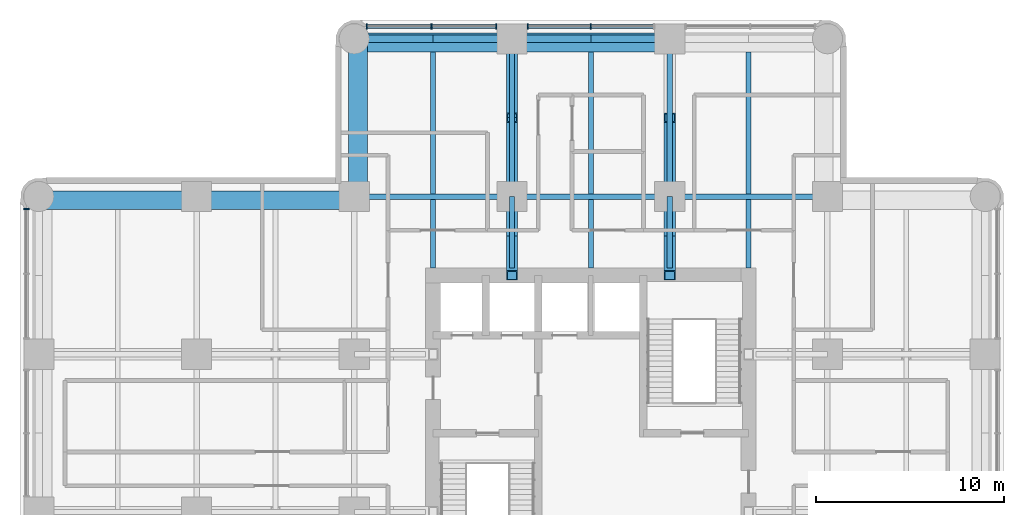
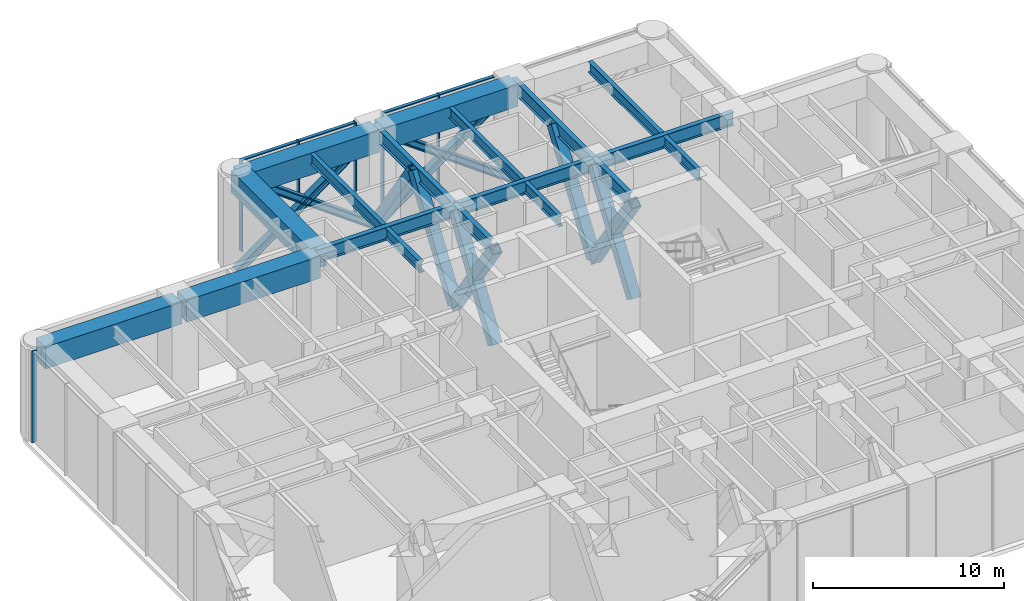
# One storey, part 5 of 12: 21 members, 18 beams, 2 elements without a shape of their own.
"""IFC4 building model written with IfcOpenShell, lengths in metres."""

from ifc_helpers import new_model, si_unit, direction, frame, origin, origin_2d, place, context, subcontext, project, spatial, rectangle, hollow_rectangle, i_section, extrude, material, material_profile, profile_set, type_object, element, aggregate, save


model = new_model("IFC4")

# Units and contexts
model_context = context("Model", 3, precision=1e-05, world=origin(), true_north=direction((0.0, 1.0)))
body_context = subcontext(model_context, "Body", "Model", "MODEL_VIEW")
ifc_project = project(units=[si_unit("LENGTHUNIT", "METRE"), si_unit("AREAUNIT", "SQUARE_METRE"), si_unit("VOLUMEUNIT", "CUBIC_METRE"), si_unit("PLANEANGLEUNIT", "RADIAN"), si_unit("MASSUNIT", "GRAM", prefix="KILO")], contexts=[model_context])

# Site, building, storey
site_placement = place(None, origin())
site = spatial("IfcSite", under=ifc_project, at=site_placement, CompositionType="ELEMENT")
building_placement = place(site_placement, origin())
building = spatial("IfcBuilding", under=site, at=building_placement, Name="Torre Alcanfor", CompositionType="ELEMENT")
storey_placement = place(building_placement, frame((0.0, 0.0, 248.10009765625)))
storey = spatial("IfcBuildingStorey", under=building, at=storey_placement, Name="L65", CompositionType="ELEMENT", Elevation=248.10009765625)

# Members
ifc_material_1 = material(Name="Steel ASTM A992 Grade 50", Category="steel")
ifc_material_profile_1 = material_profile(ifc_material_1, i_section(OverallWidth=0.411376953125, OverallDepth=0.434326171875, WebThickness=0.035888671875, FlangeThickness=0.057373046875, at=origin_2d()), Name="W14x311")
ifc_profile_set_1 = profile_set([ifc_material_profile_1], Name="Steel ASTM A992 Grade 50")
member_type_1 = type_object("IfcMemberType", Name="Belt truss diagonal W14x311", PredefinedType="BRACE", material=ifc_profile_set_1)
for number, where, z_axis, x_axis, name in (
    (1, (16.800048828125, 50.39990234375, -0.650146484375), (0.809144712888, 0.0, 0.587609422665), (0.0, 1.0, 0.0), "Belt truss L65 N arm panel 1 diagonal A"),
    (2, (25.199951171875, 50.39990234375, -0.650146484375), (-0.809144712888, 0.0, 0.587609422665), (0.0, -1.0, 0.0), "Belt truss L65 N arm panel 1 diagonal B"),
):
    element("IfcMember", number, at=place(storey_placement, frame(where, z_axis=z_axis, x_axis=x_axis)), inside=storey, type_object=member_type_1, Name=name, PredefinedType="BRACE", context=body_context, shape_type="SweptSolid", body=[
        extrude(i_section(OverallWidth=0.411376953125, OverallDepth=0.434326171875, WebThickness=0.035888671875, FlangeThickness=0.057373046875, at=origin_2d()), origin(), (0.0, 0.0, 1.0), 10.381103515625),
    ])
for number, where, z_axis, x_axis, name in (
    (3, (25.199951171875, 50.39990234375, -0.650146484375), (0.809152832909, 0.0, 0.587598241144), (0.0, 1.0, 0.0), "Belt truss L65 N arm panel 2 diagonal A"),
    (4, (33.60009765625, 50.39990234375, -0.650146484375), (-0.809152832909, 0.0, 0.587598241144), (0.0, -1.0, 0.0), "Belt truss L65 N arm panel 2 diagonal B"),
):
    element("IfcMember", number, at=place(storey_placement, frame(where, z_axis=z_axis, x_axis=x_axis)), inside=storey, type_object=member_type_1, Name=name, PredefinedType="BRACE", context=body_context, shape_type="SweptSolid", body=[
        extrude(i_section(OverallWidth=0.411376953125, OverallDepth=0.434326171875, WebThickness=0.035888671875, FlangeThickness=0.057373046875, at=origin_2d()), origin(), (0.0, 0.0, 1.0), 10.38134765625),
    ])

# Curtain wall, member
ifc_material_2 = material(Name="Aluminium and glass", Category="aluminium")
curtain_wall_type = type_object("IfcCurtainWallType", Name="CW-D plant floor louvre screen", PredefinedType="NOTDEFINED", material=ifc_material_2)
curtain_wall_1_placement = place(storey_placement, origin())
curtain_wall_1 = element("IfcCurtainWall", 5, at=curtain_wall_1_placement, inside=storey, type_object=curtain_wall_type, Name="Curtain wall CW-D L65 2", PredefinedType="NOTDEFINED")
ifc_material_3 = material(Name="Extruded aluminium", Category="aluminium")
ifc_material_profile_2 = material_profile(ifc_material_3, rectangle(XDim=0.300048828125, YDim=0.06494140625, at=origin_2d()), Name="CW-D mullion 65x300")
ifc_profile_set_2 = profile_set([ifc_material_profile_2], Name="Extruded aluminium")
member_type_2 = type_object("IfcMemberType", Name="CW-D mullion 65x300", PredefinedType="MULLION", material=ifc_profile_set_2)
member_1_placement = place(storey_placement, frame((-0.64990234375, 41.336669921875, 0.0), z_axis=(0.0, 0.0, 1.0), x_axis=(1.0, 0.0, 0.0)))
member_1 = element("IfcMember", 6, at=member_1_placement, type_object=member_type_2, Name="CW-D mullion 1.1", PredefinedType="MULLION", context=body_context, shape_type="SweptSolid", body=[
    extrude(rectangle(XDim=0.300048828125, YDim=0.06494140625, at=origin_2d()), origin(), (0.0, 0.0, 1.0), 5.849853515625),
])
aggregate(curtain_wall_1, [member_1])

# Curtain wall, members
curtain_wall_2_placement = place(storey_placement, origin())
curtain_wall_2 = element("IfcCurtainWall", 7, at=curtain_wall_2_placement, inside=storey, type_object=curtain_wall_type, Name="Curtain wall CW-D L65 11", PredefinedType="NOTDEFINED")
member_2_placement = place(storey_placement, frame((29.39990234375, 51.050048828125, 0.0), z_axis=(0.0, 0.0, 1.0), x_axis=(0.0, -1.0, 0.0)))
member_2 = element("IfcMember", 8, at=member_2_placement, type_object=member_type_2, Name="CW-D mullion 2.2", PredefinedType="MULLION", context=body_context, shape_type="SweptSolid", body=[
    extrude(rectangle(XDim=0.300048828125, YDim=0.06494140625, at=origin_2d()), origin(), (0.0, 0.0, 1.0), 5.849853515625),
])
member_3_placement = place(storey_placement, frame((26.03759765625, 51.050048828125, 0.0), z_axis=(0.0, 0.0, 1.0), x_axis=(0.0, -1.0, 0.0)))
member_3 = element("IfcMember", 9, at=member_3_placement, type_object=member_type_2, Name="CW-D mullion 2.3", PredefinedType="MULLION", context=body_context, shape_type="SweptSolid", body=[
    extrude(rectangle(XDim=0.300048828125, YDim=0.06494140625, at=origin_2d()), origin(), (0.0, 0.0, 1.0), 5.849853515625),
])
member_4_placement = place(storey_placement, frame((24.362548828125, 51.050048828125, 0.0), z_axis=(0.0, 0.0, 1.0), x_axis=(0.0, -1.0, 0.0)))
member_4 = element("IfcMember", 10, at=member_4_placement, type_object=member_type_2, Name="CW-D mullion 3.1", PredefinedType="MULLION", context=body_context, shape_type="SweptSolid", body=[
    extrude(rectangle(XDim=0.300048828125, YDim=0.06494140625, at=origin_2d()), origin(), (0.0, 0.0, 1.0), 5.849853515625),
])
member_5_placement = place(storey_placement, frame((20.912841796875, 51.050048828125, 0.0), z_axis=(0.0, 0.0, 1.0), x_axis=(0.0, -1.0, 0.0)))
member_5 = element("IfcMember", 11, at=member_5_placement, type_object=member_type_2, Name="CW-D mullion 3.2", PredefinedType="MULLION", context=body_context, shape_type="SweptSolid", body=[
    extrude(rectangle(XDim=0.300048828125, YDim=0.06494140625, at=origin_2d()), origin(), (0.0, 0.0, 1.0), 5.849853515625),
])
member_6_placement = place(storey_placement, frame((17.46337890625, 51.050048828125, 0.0), z_axis=(0.0, 0.0, 1.0), x_axis=(0.0, -1.0, 0.0)))
member_6 = element("IfcMember", 12, at=member_6_placement, type_object=member_type_2, Name="CW-D mullion 3.3", PredefinedType="MULLION", context=body_context, shape_type="SweptSolid", body=[
    extrude(rectangle(XDim=0.300048828125, YDim=0.06494140625, at=origin_2d()), origin(), (0.0, 0.0, 1.0), 5.849853515625),
])
ifc_material_4 = material(Name="Extruded aluminium", Category="aluminium")
ifc_material_profile_3 = material_profile(ifc_material_4, rectangle(XDim=0.199951171875, YDim=0.06494140625, at=origin_2d()), Name="CW-D transom 200x65")
ifc_profile_set_3 = profile_set([ifc_material_profile_3], Name="Extruded aluminium")
member_type_3 = type_object("IfcMemberType", Name="CW-D transom 65x200", PredefinedType="USERDEFINED", material=ifc_profile_set_3)
member_7_placement = place(storey_placement, frame((32.72998046875, 51.050048828125, 5.8173828125), z_axis=(-1.0, 0.0, 0.0), x_axis=(0.0, -1.0, 0.0)))
member_7 = element("IfcMember", 13, at=member_7_placement, type_object=member_type_3, Name="CW-D transom 2.1.2", ObjectType="TRANSOM", PredefinedType="USERDEFINED", context=body_context, shape_type="SweptSolid", body=[
    extrude(rectangle(XDim=0.199951171875, YDim=0.06494140625, at=origin_2d()), origin(), (0.0, 0.0, 1.0), 3.29736328125),
])
member_8_placement = place(storey_placement, frame((29.367431640625, 51.050048828125, 5.8173828125), z_axis=(-1.0, 0.0, 0.0), x_axis=(0.0, -1.0, 0.0)))
member_8 = element("IfcMember", 14, at=member_8_placement, type_object=member_type_3, Name="CW-D transom 2.2.2", ObjectType="TRANSOM", PredefinedType="USERDEFINED", context=body_context, shape_type="SweptSolid", body=[
    extrude(rectangle(XDim=0.199951171875, YDim=0.06494140625, at=origin_2d()), origin(), (0.0, 0.0, 1.0), 3.29736328125),
])
member_9_placement = place(storey_placement, frame((24.330078125, 51.050048828125, 5.8173828125), z_axis=(-1.0, 0.0, 0.0), x_axis=(0.0, -1.0, 0.0)))
member_9 = element("IfcMember", 15, at=member_9_placement, type_object=member_type_3, Name="CW-D transom 3.1.2", ObjectType="TRANSOM", PredefinedType="USERDEFINED", context=body_context, shape_type="SweptSolid", body=[
    extrude(rectangle(XDim=0.199951171875, YDim=0.06494140625, at=origin_2d()), origin(), (0.0, 0.0, 1.0), 3.384765625),
])
member_10_placement = place(storey_placement, frame((20.88037109375, 51.050048828125, 5.8173828125), z_axis=(-1.0, 0.0, 0.0), x_axis=(0.0, -1.0, 0.0)))
member_10 = element("IfcMember", 16, at=member_10_placement, type_object=member_type_3, Name="CW-D transom 3.2.2", ObjectType="TRANSOM", PredefinedType="USERDEFINED", context=body_context, shape_type="SweptSolid", body=[
    extrude(rectangle(XDim=0.199951171875, YDim=0.06494140625, at=origin_2d()), origin(), (0.0, 0.0, 1.0), 3.384521484375),
])
aggregate(curtain_wall_2, [member_2, member_3, member_7, member_8, member_4, member_5, member_6, member_9, member_10])

# Beams
ifc_material_5 = material(Name="Steel ASTM A992 Grade 50", Category="steel")
ifc_material_profile_4 = material_profile(ifc_material_5, i_section(OverallWidth=0.2919921875, OverallDepth=0.8408203125, WebThickness=0.0146484375, FlangeThickness=0.021728515625, at=origin_2d()), Name="W33x130")
ifc_profile_set_4 = profile_set([ifc_material_profile_4], Name="Steel ASTM A992 Grade 50")
beam_type_1 = type_object("IfcBeamType", Name="Girder W33x130", PredefinedType="BEAM", material=ifc_profile_set_4)
beam_1_placement = place(storey_placement, frame((16.800048828125, 42.0, 5.429443359375), z_axis=(1.0, 0.0, 0.0), x_axis=(0.0, 1.0, 0.0)))
element("IfcBeam", 17, at=beam_1_placement, inside=storey, type_object=beam_type_1, Name="Beam 3H-4H under L66", PredefinedType="BEAM", context=body_context, shape_type="SweptSolid", body=[
    extrude(i_section(OverallWidth=0.2919921875, OverallDepth=0.8408203125, WebThickness=0.0146484375, FlangeThickness=0.021728515625, at=origin_2d()), origin(), (0.0, 0.0, 1.0), 8.39990234375),
])
beam_2_placement = place(storey_placement, frame((25.199951171875, 42.0, 5.429443359375), z_axis=(1.0, 0.0, 0.0), x_axis=(0.0, 1.0, 0.0)))
element("IfcBeam", 18, at=beam_2_placement, inside=storey, type_object=beam_type_1, Name="Beam 4H-5H under L66", PredefinedType="BEAM", context=body_context, shape_type="SweptSolid", body=[
    extrude(i_section(OverallWidth=0.2919921875, OverallDepth=0.8408203125, WebThickness=0.0146484375, FlangeThickness=0.021728515625, at=origin_2d()), origin(), (0.0, 0.0, 1.0), 8.400146484375),
])
for number, where, z_axis, x_axis, name in (
    (19, (33.60009765625, 42.0, 5.429443359375), (1.0, 0.0, 0.0), (0.0, 1.0, 0.0), "Beam 5H-6H under L66"),
    (20, (25.199951171875, 42.0, 5.429443359375), (0.0, 1.0, 0.0), (-1.0, 0.0, 0.0), "Beam 4H-4J under L66"),
    (21, (33.60009765625, 42.0, 5.429443359375), (0.0, 1.0, 0.0), (-1.0, 0.0, 0.0), "Beam 5H-5J under L66"),
):
    element("IfcBeam", number, at=place(storey_placement, frame(where, z_axis=z_axis, x_axis=x_axis)), inside=storey, type_object=beam_type_1, Name=name, PredefinedType="BEAM", context=body_context, shape_type="SweptSolid", body=[
        extrude(i_section(OverallWidth=0.2919921875, OverallDepth=0.8408203125, WebThickness=0.0146484375, FlangeThickness=0.021728515625, at=origin_2d()), origin(), (0.0, 0.0, 1.0), 8.39990234375),
    ])
ifc_material_6 = material(Name="Steel ASTM A992 Grade 50", Category="steel")
ifc_material_profile_5 = material_profile(ifc_material_6, i_section(OverallWidth=0.2919921875, OverallDepth=0.8408203125, WebThickness=0.0146484375, FlangeThickness=0.021728515625, at=origin_2d()), Name="W33x130")
ifc_profile_set_5 = profile_set([ifc_material_profile_5], Name="Steel ASTM A992 Grade 50")
beam_type_2 = type_object("IfcBeamType", Name="Girder, part bay W33x130", PredefinedType="BEAM", material=ifc_profile_set_5)
for number, where, z_axis, x_axis, name in (
    (22, (25.199951171875, 42.0, 5.429443359375), (0.0, -1.0, 0.0), (1.0, 0.0, 0.0), "Beam 4H-438_2 under L66"),
    (23, (33.60009765625, 42.0, 5.429443359375), (0.0, -1.0, 0.0), (1.0, 0.0, 0.0), "Beam 5H-538_2 under L66"),
):
    element("IfcBeam", number, at=place(storey_placement, frame(where, z_axis=z_axis, x_axis=x_axis)), inside=storey, type_object=beam_type_2, Name=name, PredefinedType="BEAM", context=body_context, shape_type="SweptSolid", body=[
        extrude(i_section(OverallWidth=0.2919921875, OverallDepth=0.8408203125, WebThickness=0.0146484375, FlangeThickness=0.021728515625, at=origin_2d()), origin(), (0.0, 0.0, 1.0), 3.800048828125),
    ])

# Members
ifc_material_7 = material(Name="Steel ASTM A572 Grade 50 plate", Category="steel")
ifc_material_profile_6 = material_profile(ifc_material_7, hollow_rectangle(XDim=0.60009765625, YDim=0.60009765625, WallThickness=0.050048828125, at=origin_2d()), Name="BOX 600x600x50")
ifc_profile_set_6 = profile_set([ifc_material_profile_6], Name="Steel ASTM A572 Grade 50 plate")
member_type_4 = type_object("IfcMemberType", Name="Outrigger truss diagonal BOx600x600x50", PredefinedType="BRACE", material=ifc_profile_set_6)
for number, where, z_axis, x_axis, name in (
    (24, (25.199951171875, 37.800048828125, -0.650146484375), (0.0, 0.567091101321, 0.823655075139), (-1.0, 0.0, 0.0), "Outrigger truss L65 N arm grid 25.2 panel 1 diagonal A"),
    (25, (25.199951171875, 42.0, -0.650146484375), (0.0, -0.567091101321, 0.823655075139), (1.0, 0.0, 0.0), "Outrigger truss L65 N arm grid 25.2 panel 1 diagonal B"),
    (26, (25.199951171875, 42.0, -0.650146484375), (0.0, 0.567091101321, 0.823655075139), (-1.0, 0.0, 0.0), "Outrigger truss L65 N arm grid 25.2 panel 2 diagonal A"),
    (27, (25.199951171875, 50.39990234375, -0.650146484375), (0.0, -0.567091101321, 0.823655075139), (1.0, 0.0, 0.0), "Outrigger truss L65 N arm grid 25.2 panel 2 diagonal B"),
    (28, (33.60009765625, 37.800048828125, -0.650146484375), (0.0, 0.567091101321, 0.823655075139), (-1.0, 0.0, 0.0), "Outrigger truss L65 N arm grid 33.6 panel 1 diagonal A"),
    (29, (33.60009765625, 42.0, -0.650146484375), (0.0, -0.567091101321, 0.823655075139), (1.0, 0.0, 0.0), "Outrigger truss L65 N arm grid 33.6 panel 1 diagonal B"),
    (30, (33.60009765625, 42.0, -0.650146484375), (0.0, 0.567091101321, 0.823655075139), (-1.0, 0.0, 0.0), "Outrigger truss L65 N arm grid 33.6 panel 2 diagonal A"),
):
    element("IfcMember", number, at=place(storey_placement, frame(where, z_axis=z_axis, x_axis=x_axis)), inside=storey, type_object=member_type_4, Name=name, PredefinedType="BRACE", context=body_context, shape_type="SweptSolid", body=[
        extrude(hollow_rectangle(XDim=0.60009765625, YDim=0.60009765625, WallThickness=0.050048828125, at=origin_2d()), origin(), (0.0, 0.0, 1.0), 7.40625),
    ])

# Beams
ifc_material_8 = material(Name="Concrete f'c 70 MPa", Category="concrete")
ifc_material_profile_7 = material_profile(ifc_material_8, rectangle(XDim=1.0, YDim=1.39990234375, at=origin_2d()), Name="1000x1400")
ifc_profile_set_7 = profile_set([ifc_material_profile_7], Name="Concrete f'c 70 MPa")
beam_type_3 = type_object("IfcBeamType", Name="RC perimeter beam 1000x1400", PredefinedType="BEAM", material=ifc_profile_set_7)
beam_3_placement = place(storey_placement, frame((0.0, 41.800048828125, 5.14990234375), z_axis=(1.0, 0.0, 0.0), x_axis=(0.0, 1.0, 0.0)))
element("IfcBeam", 31, at=beam_3_placement, inside=storey, type_object=beam_type_3, Name="Beam 1H-2H under L66", PredefinedType="BEAM", context=body_context, shape_type="SweptSolid", body=[
    extrude(rectangle(XDim=1.0, YDim=1.39990234375, at=origin_2d()), origin(), (0.0, 0.0, 1.0), 8.25390625),
])
beam_4_placement = place(storey_placement, frame((8.5458984375, 41.800048828125, 5.14990234375), z_axis=(1.0, 0.0, 0.0), x_axis=(0.0, 1.0, 0.0)))
element("IfcBeam", 32, at=beam_4_placement, inside=storey, type_object=beam_type_3, Name="Beam 2H-3H under L66", PredefinedType="BEAM", context=body_context, shape_type="SweptSolid", body=[
    extrude(rectangle(XDim=1.0, YDim=1.39990234375, at=origin_2d()), origin(), (0.0, 0.0, 1.0), 8.108154296875),
])
beam_5_placement = place(storey_placement, frame((16.800048828125, 50.199951171875, 5.14990234375), z_axis=(1.0, 0.0, 0.0), x_axis=(0.0, 1.0, 0.0)))
element("IfcBeam", 33, at=beam_5_placement, inside=storey, type_object=beam_type_3, Name="Beam 3J-4J under L66", PredefinedType="BEAM", context=body_context, shape_type="SweptSolid", body=[
    extrude(rectangle(XDim=1.0, YDim=1.39990234375, at=origin_2d()), origin(), (0.0, 0.0, 1.0), 8.25390625),
])
beam_6_placement = place(storey_placement, frame((25.345947265625, 50.199951171875, 5.14990234375), z_axis=(1.0, 0.0, 0.0), x_axis=(0.0, 1.0, 0.0)))
element("IfcBeam", 34, at=beam_6_placement, inside=storey, type_object=beam_type_3, Name="Beam 4J-5J under L66", PredefinedType="BEAM", context=body_context, shape_type="SweptSolid", body=[
    extrude(rectangle(XDim=1.0, YDim=1.39990234375, at=origin_2d()), origin(), (0.0, 0.0, 1.0), 8.108154296875),
])
beam_7_placement = place(storey_placement, frame((17.0, 42.14599609375, 5.14990234375), z_axis=(0.0, 1.0, 0.0), x_axis=(-1.0, 0.0, 0.0)))
element("IfcBeam", 35, at=beam_7_placement, inside=storey, type_object=beam_type_3, Name="Beam 3H-3J under L66", PredefinedType="BEAM", context=body_context, shape_type="SweptSolid", body=[
    extrude(rectangle(XDim=1.0, YDim=1.39990234375, at=origin_2d()), origin(), (0.0, 0.0, 1.0), 8.25390625),
])
ifc_material_9 = material(Name="Steel ASTM A992 Grade 50", Category="steel")
ifc_material_profile_8 = material_profile(ifc_material_9, i_section(OverallWidth=0.25390625, OverallDepth=0.683349609375, WebThickness=0.012451171875, FlangeThickness=0.01904296875, at=origin_2d()), Name="W27x94")
ifc_profile_set_8 = profile_set([ifc_material_profile_8], Name="Steel ASTM A992 Grade 50")
beam_type_4 = type_object("IfcBeamType", Name="Secondary beam W27x94", PredefinedType="BEAM", material=ifc_profile_set_8)
for number, where, z_axis, x_axis, name in (
    (36, (21.0, 42.14599609375, 5.50830078125), (0.0, 1.0, 0.0), (-1.0, 0.0, 0.0), "Beam 21H-21J under L66"),
    (37, (29.39990234375, 42.14599609375, 5.50830078125), (0.0, 1.0, 0.0), (-1.0, 0.0, 0.0), "Beam 29_4H-29_4J under L66"),
    (38, (37.800048828125, 42.14599609375, 5.50830078125), (0.0, 1.0, 0.0), (-1.0, 0.0, 0.0), "Beam 37_8H-37_8J under L66"),
):
    element("IfcBeam", number, at=place(storey_placement, frame(where, z_axis=z_axis, x_axis=x_axis)), inside=storey, type_object=beam_type_4, Name=name, PredefinedType="BEAM", context=body_context, shape_type="SweptSolid", body=[
        extrude(i_section(OverallWidth=0.25390625, OverallDepth=0.683349609375, WebThickness=0.012451171875, FlangeThickness=0.01904296875, at=origin_2d()), origin(), (0.0, 0.0, 1.0), 7.553955078125),
    ])
ifc_material_10 = material(Name="Steel ASTM A992 Grade 50", Category="steel")
ifc_material_profile_9 = material_profile(ifc_material_10, i_section(OverallWidth=0.25390625, OverallDepth=0.683349609375, WebThickness=0.012451171875, FlangeThickness=0.01904296875, at=origin_2d()), Name="W27x94")
ifc_profile_set_9 = profile_set([ifc_material_profile_9], Name="Steel ASTM A992 Grade 50")
beam_type_5 = type_object("IfcBeamType", Name="Secondary beam, part bay W27x94", PredefinedType="BEAM", material=ifc_profile_set_9)
for number, where, z_axis, x_axis, name in (
    (39, (21.0, 38.199951171875, 5.50830078125), (0.0, 1.0, 0.0), (-1.0, 0.0, 0.0), "Beam 2138_2-21H under L66"),
    (40, (29.39990234375, 38.199951171875, 5.50830078125), (0.0, 1.0, 0.0), (-1.0, 0.0, 0.0), "Beam 29_438_2-29_4H under L66"),
    (41, (37.800048828125, 38.199951171875, 5.50830078125), (0.0, 1.0, 0.0), (-1.0, 0.0, 0.0), "Beam 37_838_2-37_8H under L66"),
):
    element("IfcBeam", number, at=place(storey_placement, frame(where, z_axis=z_axis, x_axis=x_axis)), inside=storey, type_object=beam_type_5, Name=name, PredefinedType="BEAM", context=body_context, shape_type="SweptSolid", body=[
        extrude(i_section(OverallWidth=0.25390625, OverallDepth=0.683349609375, WebThickness=0.012451171875, FlangeThickness=0.01904296875, at=origin_2d()), origin(), (0.0, 0.0, 1.0), 3.654052734375),
    ])

save(model, "model.ifc")
